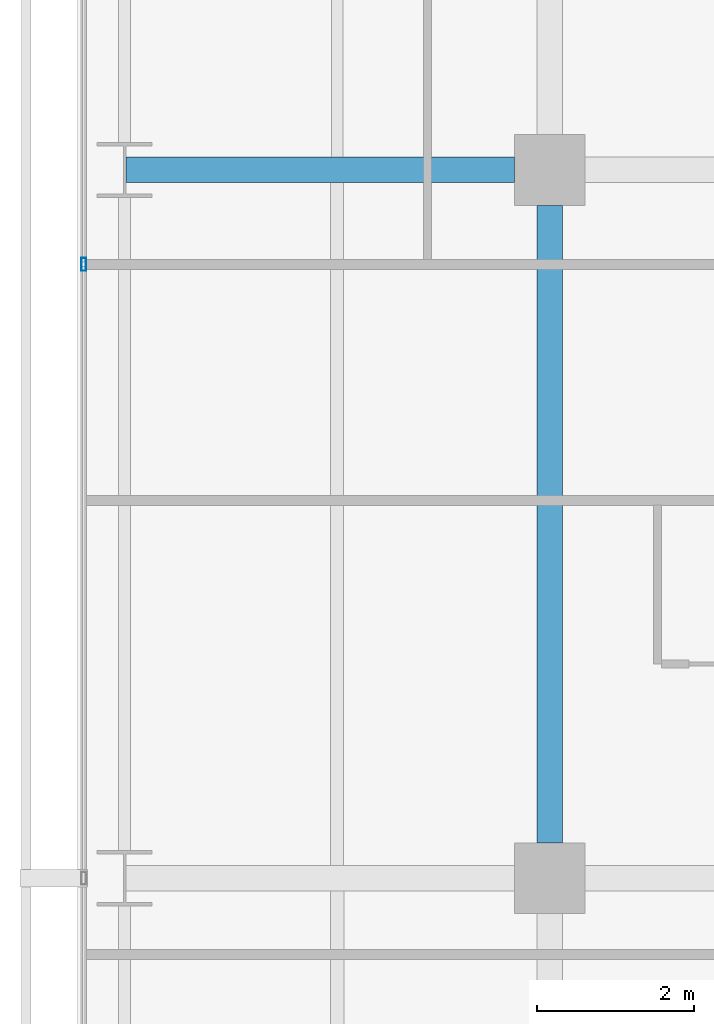
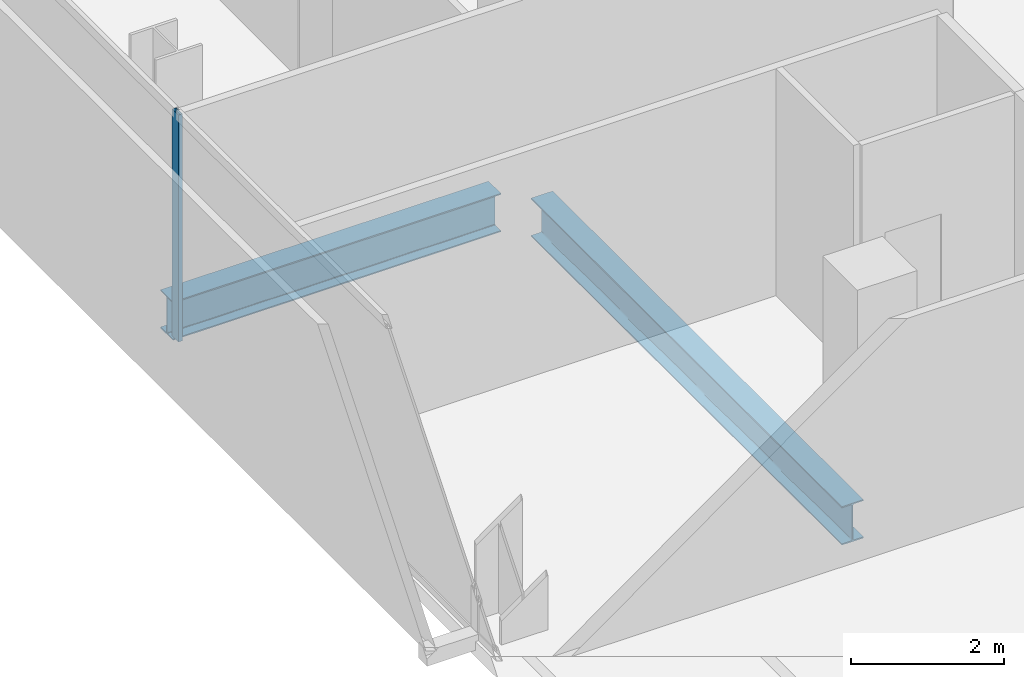
# One storey, part 21 of 40: 2 beams, 1 member, 1 element without a shape of its own.
"""IFC4 building model written with IfcOpenShell, lengths in metres."""

from ifc_helpers import new_model, si_unit, direction, frame, origin, origin_2d, place, context, subcontext, project, spatial, hollow_rectangle, i_section, extrude, material, layer, layer_set, material_profile, profile_set, type_object, element, aggregate, save


model = new_model("IFC4")

# Units and contexts
model_context = context("Model", 3, precision=1e-05, world=origin(), true_north=direction((0.0, 1.0)))
body_context = subcontext(model_context, "Body", "Model", "MODEL_VIEW")
ifc_project = project(units=[si_unit("LENGTHUNIT", "METRE"), si_unit("AREAUNIT", "SQUARE_METRE"), si_unit("VOLUMEUNIT", "CUBIC_METRE"), si_unit("PLANEANGLEUNIT", "RADIAN"), si_unit("MASSUNIT", "GRAM", prefix="KILO")], contexts=[model_context])

# Site, building, storey
site_placement = place(None, origin())
site = spatial("IfcSite", under=ifc_project, at=site_placement, CompositionType="ELEMENT")
building_placement = place(site_placement, origin())
building = spatial("IfcBuilding", under=site, at=building_placement, Name="Maruvema Waterfront Hotel and Observation Tower", CompositionType="ELEMENT")
storey_placement = place(building_placement, frame((0.0, 0.0, 92.39990234375)))
storey = spatial("IfcBuildingStorey", under=building, at=storey_placement, Name="L22", CompositionType="ELEMENT", Elevation=92.39990234375)

# Curtain wall, member
ifc_material_1 = material(Name="Anodised bronze aluminium and solar-control low-E IGU", Category="aluminium")
ifc_layer = layer(ifc_material_1, 0.159912109375, Name="Zone 1 Bronze Inner Thermal Curtain Wall System CW-02")
ifc_layer_set = layer_set([ifc_layer], Name="Anodised bronze aluminium and solar-control low-E IGU")
curtain_wall_type = type_object("IfcCurtainWallType", Name="Zone 1 Bronze Inner Thermal Curtain Wall System CW-02", PredefinedType="USERDEFINED", material=ifc_layer_set)
curtain_wall_placement = place(storey_placement, origin())
curtain_wall = element("IfcCurtainWall", 1, at=curtain_wall_placement, inside=storey, type_object=curtain_wall_type, Name="L22 Curtain Wall CW-L22-W", ObjectType="UNITISED CURTAIN WALL", PredefinedType="USERDEFINED")
ifc_material_2 = material(Name="Anodised architectural bronze aluminium", Category="aluminium")
ifc_material_profile_1 = material_profile(ifc_material_2, hollow_rectangle(XDim=0.06494140625, YDim=0.1650390625, WallThickness=0.00390625, at=origin_2d()), Name="ALU-M65x165")
ifc_profile_set_1 = profile_set([ifc_material_profile_1], Name="Anodised architectural bronze aluminium")
member_type = type_object("IfcMemberType", Name="Curtain Wall Primary Mullion ALU-M65x165", PredefinedType="MULLION", material=ifc_profile_set_1)
member_placement = place(storey_placement, frame((10.8798828125, 34.800048828125, 0.0), z_axis=(0.0, 0.0, 1.0), x_axis=(1.0, 0.0, 0.0)))
member = element("IfcMember", 2, at=member_placement, type_object=member_type, Name="CW-02 mullion 3", PredefinedType="MULLION", context=body_context, shape_type="SweptSolid", body=[
    extrude(hollow_rectangle(XDim=0.06494140625, YDim=0.1650390625, WallThickness=0.00390625, at=origin_2d()), origin(), (0.0, 0.0, 1.0), 3.610107421875),
])
aggregate(curtain_wall, [member])

# Beams
ifc_material_3 = material(Name="Steel ASTM A572 Grade 50", Category="steel")
ifc_material_profile_2 = material_profile(ifc_material_3, i_section(OverallWidth=0.323974609375, OverallDepth=0.611083984375, WebThickness=0.0126953125, FlangeThickness=0.01904296875, FilletRadius=0.01806640625, at=origin_2d()), Name="W610x155.0")
ifc_profile_set_2 = profile_set([ifc_material_profile_2], Name="Steel ASTM A572 Grade 50")
beam_type = type_object("IfcBeamType", Name="Primary Floor Girder W610x155.0", PredefinedType="BEAM", material=ifc_profile_set_2)
beam_1_placement = place(storey_placement, frame((11.4140625, 36.0, -0.54541015625), z_axis=(1.0, 0.0, 0.0), x_axis=(0.0, 1.0, 0.0)))
element("IfcBeam", 3, at=beam_1_placement, inside=storey, type_object=beam_type, Name="L22 Floor Girder EW-25", PredefinedType="BEAM", context=body_context, shape_type="SweptSolid", body=[
    extrude(i_section(OverallWidth=0.323974609375, OverallDepth=0.611083984375, WebThickness=0.0126953125, FlangeThickness=0.01904296875, FilletRadius=0.01806640625, at=origin_2d()), origin(), (0.0, 0.0, 1.0), 4.93603515625),
])
beam_2_placement = place(storey_placement, frame((16.800048828125, 27.449951171875, -0.54541015625), z_axis=(0.0, 1.0, 0.0), x_axis=(-1.0, 0.0, 0.0)))
element("IfcBeam", 4, at=beam_2_placement, inside=storey, type_object=beam_type, Name="L22 Floor Girder NS-08", PredefinedType="BEAM", context=body_context, shape_type="SweptSolid", body=[
    extrude(i_section(OverallWidth=0.323974609375, OverallDepth=0.611083984375, WebThickness=0.0126953125, FlangeThickness=0.01904296875, FilletRadius=0.01806640625, at=origin_2d()), origin(), (0.0, 0.0, 1.0), 8.10009765625),
])

save(model, "model.ifc")
